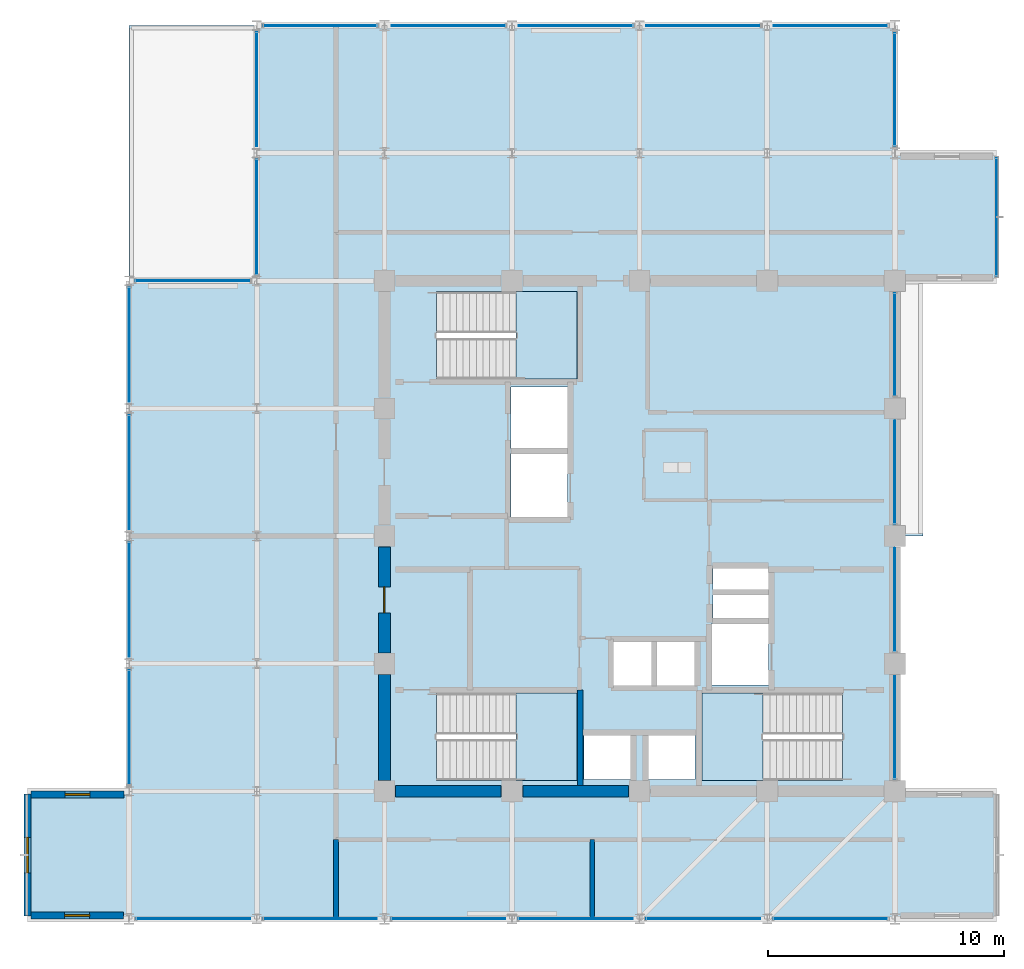
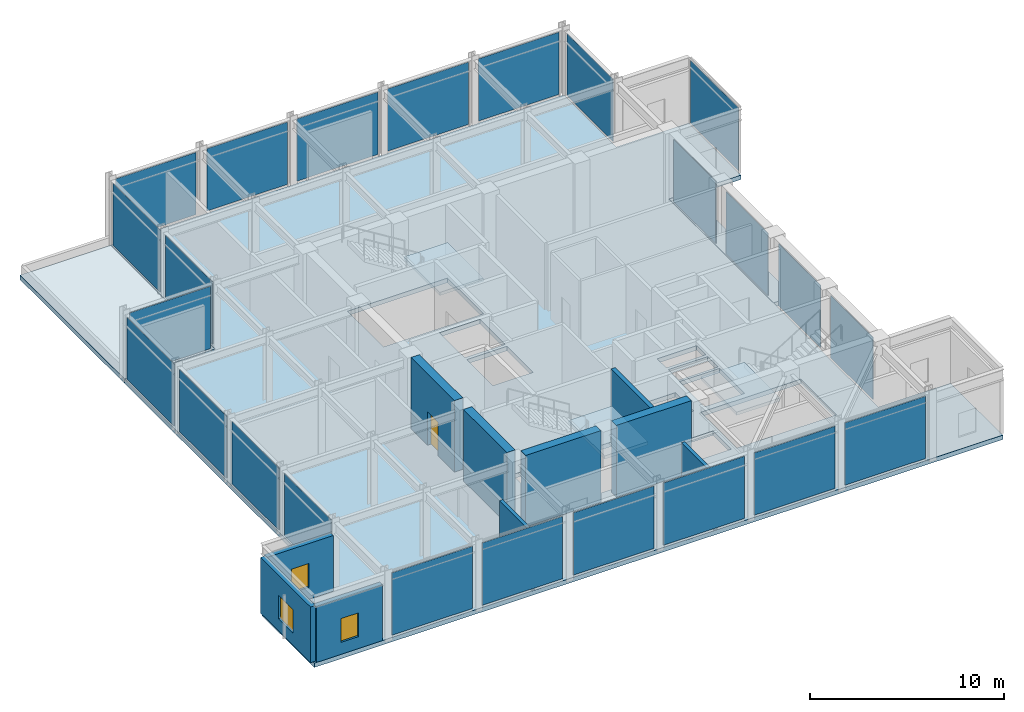
# One storey, part 15 of 22: 24 plates, 10 walls, 6 slabs, 3 windows, 1 door, 4 openings, 11 elements without a shape of their own.
"""IFC4 building model written with IfcOpenShell, lengths in metres."""

from ifc_helpers import new_model, si_unit, direction, frame, frame_2d, origin, place, context, subcontext, project, spatial, polyline, rectangle, outline, extrude, material, layer, layer_set, type_object, element, fill, aggregate, save


model = new_model("IFC4")

# Units and contexts
model_context = context("Model", 3, precision=1e-05, world=origin(), true_north=direction((0.0, 1.0)))
body_context = subcontext(model_context, "Body", "Model", "MODEL_VIEW")
ifc_project = project(units=[si_unit("LENGTHUNIT", "METRE"), si_unit("AREAUNIT", "SQUARE_METRE"), si_unit("VOLUMEUNIT", "CUBIC_METRE"), si_unit("PLANEANGLEUNIT", "RADIAN"), si_unit("MASSUNIT", "GRAM", prefix="KILO")], contexts=[model_context])

# Site, building, storey
site_placement = place(None, origin())
site = spatial("IfcSite", under=ifc_project, at=site_placement, CompositionType="ELEMENT")
building_placement = place(site_placement, origin())
building = spatial("IfcBuilding", under=site, at=building_placement, Name="Surkhivell Harbour Commons", CompositionType="ELEMENT")
storey_placement = place(building_placement, frame((0.0, 0.0, 342.0)))
storey = spatial("IfcBuildingStorey", under=building, at=storey_placement, Name="L89", CompositionType="ELEMENT", Elevation=342.0)

# Curtain wall, plates
ifc_material_1 = material(Name="Anodised pale-metal aluminium and insulated glazing", Category="aluminium")
ifc_layer_1 = layer(ifc_material_1, 0.22998046875)
ifc_layer_set_1 = layer_set([ifc_layer_1], Name="Anodised pale-metal aluminium and insulated glazing")
curtain_wall_type_1 = type_object("IfcCurtainWallType", Name="CW-SYS-CRN", PredefinedType="NOTDEFINED", material=ifc_layer_set_1)
curtain_wall_1_placement = place(storey_placement, origin())
curtain_wall_1 = element("IfcCurtainWall", 1, at=curtain_wall_1_placement, inside=storey, type_object=curtain_wall_type_1, Name="L89 Curtain Wall CW-L89-C00S1", PredefinedType="NOTDEFINED")
ifc_material_2 = material(Name="Botanical conservatory clear low-iron glass", Category="glass")
ifc_layer_2 = layer(ifc_material_2, 0.033935546875)
ifc_layer_set_2 = layer_set([ifc_layer_2], Name="Botanical conservatory clear low-iron glass")
plate_type_1 = type_object("IfcPlateType", Name="CWP-CRN-34", PredefinedType="CURTAIN_PANEL", material=ifc_layer_set_2)
plate_1_placement = place(storey_placement, frame((-16.199951171875, 21.31298828125, 0.14990234375), z_axis=(0.0, 0.0, 1.0), x_axis=(0.0, -1.0, 0.0)))
plate_1 = element("IfcPlate", 2, at=plate_1_placement, type_object=plate_type_1, Name="CW-CRN panel 1.1", PredefinedType="CURTAIN_PANEL", context=body_context, shape_type="SweptSolid", body=[
    extrude(rectangle(XDim=4.825927734375, YDim=0.033935546875, at=frame_2d((2.4130859375, 0.0))), origin(), (0.0, 0.0, 1.0), 3.920166015625),
])
plate_2_placement = place(storey_placement, frame((-16.199951171875, 15.9130859375, 0.14990234375), z_axis=(0.0, 0.0, 1.0), x_axis=(0.0, -1.0, 0.0)))
plate_2 = element("IfcPlate", 3, at=plate_2_placement, type_object=plate_type_1, Name="CW-CRN panel 2.1", PredefinedType="CURTAIN_PANEL", context=body_context, shape_type="SweptSolid", body=[
    extrude(rectangle(XDim=4.826171875, YDim=0.033935546875, at=frame_2d((2.4130859375, 0.0))), origin(), (0.0, 0.0, 1.0), 3.920166015625),
])
aggregate(curtain_wall_1, [plate_1, plate_2])

# Curtain wall, plate
curtain_wall_2_placement = place(storey_placement, origin())
curtain_wall_2 = element("IfcCurtainWall", 4, at=curtain_wall_2_placement, inside=storey, type_object=curtain_wall_type_1, Name="L89 Curtain Wall CW-L89-C01", PredefinedType="NOTDEFINED")
plate_3_placement = place(storey_placement, frame((-16.487060546875, 10.800048828125, 0.14990234375), z_axis=(0.0, 0.0, 1.0), x_axis=(-1.0, 0.0, 0.0)))
plate_3 = element("IfcPlate", 5, at=plate_3_placement, type_object=plate_type_1, Name="CW-CRN panel 1.1", PredefinedType="CURTAIN_PANEL", context=body_context, shape_type="SweptSolid", body=[
    extrude(rectangle(XDim=4.825927734375, YDim=0.033935546875, at=frame_2d((2.4130859375, 0.0))), origin(), (0.0, 0.0, 1.0), 3.920166015625),
])
aggregate(curtain_wall_2, [plate_3])

# Curtain wall, plates
curtain_wall_3_placement = place(storey_placement, origin())
curtain_wall_3 = element("IfcCurtainWall", 6, at=curtain_wall_3_placement, inside=storey, type_object=curtain_wall_type_1, Name="L89 Curtain Wall CW-L89-C02S1", PredefinedType="NOTDEFINED")
plate_4_placement = place(storey_placement, frame((-21.60009765625, 10.512939453125, 0.14990234375), z_axis=(0.0, 0.0, 1.0), x_axis=(0.0, -1.0, 0.0)))
plate_4 = element("IfcPlate", 7, at=plate_4_placement, type_object=plate_type_1, Name="CW-CRN panel 1.1", PredefinedType="CURTAIN_PANEL", context=body_context, shape_type="SweptSolid", body=[
    extrude(rectangle(XDim=4.825927734375, YDim=0.033935546875, at=frame_2d((2.4130859375, 0.0))), origin(), (0.0, 0.0, 1.0), 3.920166015625),
])
plate_5_placement = place(storey_placement, frame((-21.60009765625, 5.113037109375, 0.14990234375), z_axis=(0.0, 0.0, 1.0), x_axis=(0.0, -1.0, 0.0)))
plate_5 = element("IfcPlate", 8, at=plate_5_placement, type_object=plate_type_1, Name="CW-CRN panel 2.1", PredefinedType="CURTAIN_PANEL", context=body_context, shape_type="SweptSolid", body=[
    extrude(rectangle(XDim=4.825927734375, YDim=0.033935546875, at=frame_2d((2.4130859375, 0.0))), origin(), (0.0, 0.0, 1.0), 3.920166015625),
])
plate_6_placement = place(storey_placement, frame((-21.60009765625, -0.287109375, 0.14990234375), z_axis=(0.0, 0.0, 1.0), x_axis=(0.0, -1.0, 0.0)))
plate_6 = element("IfcPlate", 9, at=plate_6_placement, type_object=plate_type_1, Name="CW-CRN panel 3.1", PredefinedType="CURTAIN_PANEL", context=body_context, shape_type="SweptSolid", body=[
    extrude(rectangle(XDim=4.825927734375, YDim=0.033935546875, at=frame_2d((2.4130859375, 0.0))), origin(), (0.0, 0.0, 1.0), 3.920166015625),
])
plate_7_placement = place(storey_placement, frame((-21.60009765625, -5.68701171875, 0.14990234375), z_axis=(0.0, 0.0, 1.0), x_axis=(0.0, -1.0, 0.0)))
plate_7 = element("IfcPlate", 10, at=plate_7_placement, type_object=plate_type_1, Name="CW-CRN panel 4.1", PredefinedType="CURTAIN_PANEL", context=body_context, shape_type="SweptSolid", body=[
    extrude(rectangle(XDim=4.825927734375, YDim=0.033935546875, at=frame_2d((2.4130859375, 0.0))), origin(), (0.0, 0.0, 1.0), 3.920166015625),
])
aggregate(curtain_wall_3, [plate_4, plate_5, plate_6, plate_7])

curtain_wall_4_placement = place(storey_placement, origin())
curtain_wall_4 = element("IfcCurtainWall", 11, at=curtain_wall_4_placement, inside=storey, type_object=curtain_wall_type_1, Name="L89 Curtain Wall CW-L89-C03", PredefinedType="NOTDEFINED")
plate_8_placement = place(storey_placement, frame((-21.282958984375, -16.199951171875, 0.14990234375), z_axis=(0.0, 0.0, 1.0), x_axis=(1.0, 0.0, 0.0)))
plate_8 = element("IfcPlate", 12, at=plate_8_placement, type_object=plate_type_1, Name="CW-CRN panel 1.1", PredefinedType="CURTAIN_PANEL", context=body_context, shape_type="SweptSolid", body=[
    extrude(rectangle(XDim=4.7958984375, YDim=0.033935546875, at=frame_2d((2.39794921875, 0.0))), origin(), (0.0, 0.0, 1.0), 3.920166015625),
])
plate_9_placement = place(storey_placement, frame((-15.9130859375, -16.199951171875, 0.14990234375), z_axis=(0.0, 0.0, 1.0), x_axis=(1.0, 0.0, 0.0)))
plate_9 = element("IfcPlate", 13, at=plate_9_placement, type_object=plate_type_1, Name="CW-CRN panel 2.1", PredefinedType="CURTAIN_PANEL", context=body_context, shape_type="SweptSolid", body=[
    extrude(rectangle(XDim=4.796142578125, YDim=0.033935546875, at=frame_2d((2.39794921875, 0.0))), origin(), (0.0, 0.0, 1.0), 3.920166015625),
])
plate_10_placement = place(storey_placement, frame((-10.48291015625, -16.199951171875, 0.14990234375), z_axis=(0.0, 0.0, 1.0), x_axis=(1.0, 0.0, 0.0)))
plate_10 = element("IfcPlate", 14, at=plate_10_placement, type_object=plate_type_1, Name="CW-CRN panel 3.1", PredefinedType="CURTAIN_PANEL", context=body_context, shape_type="SweptSolid", body=[
    extrude(rectangle(XDim=4.7958984375, YDim=0.033935546875, at=frame_2d((2.39794921875, 0.0))), origin(), (0.0, 0.0, 1.0), 3.920166015625),
])
plate_11_placement = place(storey_placement, frame((-5.113037109375, -16.199951171875, 0.14990234375), z_axis=(0.0, 0.0, 1.0), x_axis=(1.0, 0.0, 0.0)))
plate_11 = element("IfcPlate", 15, at=plate_11_placement, type_object=plate_type_1, Name="CW-CRN panel 4.1", PredefinedType="CURTAIN_PANEL", context=body_context, shape_type="SweptSolid", body=[
    extrude(rectangle(XDim=4.825927734375, YDim=0.033935546875, at=frame_2d((2.4130859375, 0.0))), origin(), (0.0, 0.0, 1.0), 3.920166015625),
])
plate_12_placement = place(storey_placement, frame((0.287109375, -16.199951171875, 0.14990234375), z_axis=(0.0, 0.0, 1.0), x_axis=(1.0, 0.0, 0.0)))
plate_12 = element("IfcPlate", 16, at=plate_12_placement, type_object=plate_type_1, Name="CW-CRN panel 5.1", PredefinedType="CURTAIN_PANEL", context=body_context, shape_type="SweptSolid", body=[
    extrude(rectangle(XDim=4.825927734375, YDim=0.033935546875, at=frame_2d((2.4130859375, 0.0))), origin(), (0.0, 0.0, 1.0), 3.920166015625),
])
plate_13_placement = place(storey_placement, frame((5.68701171875, -16.199951171875, 0.14990234375), z_axis=(0.0, 0.0, 1.0), x_axis=(1.0, 0.0, 0.0)))
plate_13 = element("IfcPlate", 17, at=plate_13_placement, type_object=plate_type_1, Name="CW-CRN panel 6.1", PredefinedType="CURTAIN_PANEL", context=body_context, shape_type="SweptSolid", body=[
    extrude(rectangle(XDim=4.7958984375, YDim=0.033935546875, at=frame_2d((2.39794921875, 0.0))), origin(), (0.0, 0.0, 1.0), 3.920166015625),
])
aggregate(curtain_wall_4, [plate_8, plate_9, plate_10, plate_11, plate_12, plate_13])

curtain_wall_5_placement = place(storey_placement, origin())
curtain_wall_5 = element("IfcCurtainWall", 18, at=curtain_wall_5_placement, inside=storey, type_object=curtain_wall_type_1, Name="L89 Curtain Wall CW-L89-C04S1", PredefinedType="NOTDEFINED")
plate_14_placement = place(storey_placement, frame((10.800048828125, -10.27294921875, 0.14990234375), z_axis=(0.0, 0.0, 1.0), x_axis=(0.0, 1.0, 0.0)))
plate_14 = element("IfcPlate", 19, at=plate_14_placement, type_object=plate_type_1, Name="CW-CRN panel 1.1", PredefinedType="CURTAIN_PANEL", context=body_context, shape_type="SweptSolid", body=[
    extrude(rectangle(XDim=4.345947265625, YDim=0.033935546875, at=frame_2d((2.1728515625, 0.0))), origin(), (0.0, 0.0, 1.0), 3.920166015625),
])
plate_15_placement = place(storey_placement, frame((10.800048828125, -4.873046875, 0.14990234375), z_axis=(0.0, 0.0, 1.0), x_axis=(0.0, 1.0, 0.0)))
plate_15 = element("IfcPlate", 20, at=plate_15_placement, type_object=plate_type_1, Name="CW-CRN panel 2.1", PredefinedType="CURTAIN_PANEL", context=body_context, shape_type="SweptSolid", body=[
    extrude(rectangle(XDim=4.345947265625, YDim=0.033935546875, at=frame_2d((2.1728515625, 0.0))), origin(), (0.0, 0.0, 1.0), 3.920166015625),
])
plate_16_placement = place(storey_placement, frame((10.800048828125, 0.527099609375, 0.14990234375), z_axis=(0.0, 0.0, 1.0), x_axis=(0.0, 1.0, 0.0)))
plate_16 = element("IfcPlate", 21, at=plate_16_placement, type_object=plate_type_1, Name="CW-CRN panel 3.1", PredefinedType="CURTAIN_PANEL", context=body_context, shape_type="SweptSolid", body=[
    extrude(rectangle(XDim=4.345947265625, YDim=0.033935546875, at=frame_2d((2.1728515625, 0.0))), origin(), (0.0, 0.0, 1.0), 3.920166015625),
])
plate_17_placement = place(storey_placement, frame((10.800048828125, 5.927001953125, 0.14990234375), z_axis=(0.0, 0.0, 1.0), x_axis=(0.0, 1.0, 0.0)))
plate_17 = element("IfcPlate", 22, at=plate_17_placement, type_object=plate_type_1, Name="CW-CRN panel 4.1", PredefinedType="CURTAIN_PANEL", context=body_context, shape_type="SweptSolid", body=[
    extrude(rectangle(XDim=4.345947265625, YDim=0.033935546875, at=frame_2d((2.1728515625, 0.0))), origin(), (0.0, 0.0, 1.0), 3.920166015625),
])
aggregate(curtain_wall_5, [plate_14, plate_15, plate_16, plate_17])

# Curtain wall, plate
curtain_wall_6_placement = place(storey_placement, origin())
curtain_wall_6 = element("IfcCurtainWall", 23, at=curtain_wall_6_placement, inside=storey, type_object=curtain_wall_type_1, Name="L89 Curtain Wall CW-L89-C04S2", PredefinedType="NOTDEFINED")
plate_18_placement = place(storey_placement, frame((10.800048828125, 16.51708984375, 0.14990234375), z_axis=(0.0, 0.0, 1.0), x_axis=(0.0, 1.0, 0.0)))
plate_18 = element("IfcPlate", 24, at=plate_18_placement, type_object=plate_type_1, Name="CW-CRN panel 1.1", PredefinedType="CURTAIN_PANEL", context=body_context, shape_type="SweptSolid", body=[
    extrude(rectangle(XDim=4.765869140625, YDim=0.033935546875, at=frame_2d((2.3828125, 0.0))), origin(), (0.0, 0.0, 1.0), 3.920166015625),
])
aggregate(curtain_wall_6, [plate_18])

# Curtain wall, plates
curtain_wall_7_placement = place(storey_placement, origin())
curtain_wall_7 = element("IfcCurtainWall", 25, at=curtain_wall_7_placement, inside=storey, type_object=curtain_wall_type_1, Name="L89 Curtain Wall CW-L89-C05", PredefinedType="NOTDEFINED")
plate_19_placement = place(storey_placement, frame((10.48291015625, 21.60009765625, 0.14990234375), z_axis=(0.0, 0.0, 1.0), x_axis=(-1.0, 0.0, 0.0)))
plate_19 = element("IfcPlate", 26, at=plate_19_placement, type_object=plate_type_1, Name="CW-CRN panel 1.1", PredefinedType="CURTAIN_PANEL", context=body_context, shape_type="SweptSolid", body=[
    extrude(rectangle(XDim=4.7958984375, YDim=0.033935546875, at=frame_2d((2.39794921875, 0.0))), origin(), (0.0, 0.0, 1.0), 3.920166015625),
])
plate_20_placement = place(storey_placement, frame((5.113037109375, 21.60009765625, 0.14990234375), z_axis=(0.0, 0.0, 1.0), x_axis=(-1.0, 0.0, 0.0)))
plate_20 = element("IfcPlate", 27, at=plate_20_placement, type_object=plate_type_1, Name="CW-CRN panel 2.1", PredefinedType="CURTAIN_PANEL", context=body_context, shape_type="SweptSolid", body=[
    extrude(rectangle(XDim=4.825927734375, YDim=0.033935546875, at=frame_2d((2.4130859375, 0.0))), origin(), (0.0, 0.0, 1.0), 3.920166015625),
])
plate_21_placement = place(storey_placement, frame((-0.287109375, 21.60009765625, 0.14990234375), z_axis=(0.0, 0.0, 1.0), x_axis=(-1.0, 0.0, 0.0)))
plate_21 = element("IfcPlate", 28, at=plate_21_placement, type_object=plate_type_1, Name="CW-CRN panel 3.1", PredefinedType="CURTAIN_PANEL", context=body_context, shape_type="SweptSolid", body=[
    extrude(rectangle(XDim=4.825927734375, YDim=0.033935546875, at=frame_2d((2.4130859375, 0.0))), origin(), (0.0, 0.0, 1.0), 3.920166015625),
])
plate_22_placement = place(storey_placement, frame((-5.68701171875, 21.60009765625, 0.14990234375), z_axis=(0.0, 0.0, 1.0), x_axis=(-1.0, 0.0, 0.0)))
plate_22 = element("IfcPlate", 29, at=plate_22_placement, type_object=plate_type_1, Name="CW-CRN panel 4.1", PredefinedType="CURTAIN_PANEL", context=body_context, shape_type="SweptSolid", body=[
    extrude(rectangle(XDim=4.7958984375, YDim=0.033935546875, at=frame_2d((2.39794921875, 0.0))), origin(), (0.0, 0.0, 1.0), 3.920166015625),
])
plate_23_placement = place(storey_placement, frame((-11.116943359375, 21.60009765625, 0.14990234375), z_axis=(0.0, 0.0, 1.0), x_axis=(-1.0, 0.0, 0.0)))
plate_23 = element("IfcPlate", 30, at=plate_23_placement, type_object=plate_type_1, Name="CW-CRN panel 5.1", PredefinedType="CURTAIN_PANEL", context=body_context, shape_type="SweptSolid", body=[
    extrude(rectangle(XDim=4.796142578125, YDim=0.033935546875, at=frame_2d((2.39794921875, 0.0))), origin(), (0.0, 0.0, 1.0), 3.920166015625),
])
aggregate(curtain_wall_7, [plate_19, plate_20, plate_21, plate_22, plate_23])

# Curtain wall, plate
ifc_layer_3 = layer(ifc_material_1, 0.1650390625)
ifc_layer_set_3 = layer_set([ifc_layer_3], Name="Anodised pale-metal aluminium and insulated glazing")
curtain_wall_type_2 = type_object("IfcCurtainWallType", Name="CW-SYS-BOX", PredefinedType="NOTDEFINED", material=ifc_layer_set_3)
curtain_wall_8_placement = place(storey_placement, origin())
curtain_wall_8 = element("IfcCurtainWall", 31, at=curtain_wall_8_placement, inside=storey, type_object=curtain_wall_type_2, Name="L89 Curtain Wall CW-L89-BOX02", PredefinedType="NOTDEFINED")
ifc_material_3 = material(Name="Triple-glazed bay-cluster vision glass", Category="glass")
ifc_layer_4 = layer(ifc_material_3, 0.028076171875)
ifc_layer_set_4 = layer_set([ifc_layer_4], Name="Triple-glazed bay-cluster vision glass")
plate_type_2 = type_object("IfcPlateType", Name="CWP-GLZ-28", PredefinedType="CURTAIN_PANEL", material=ifc_layer_set_4)
plate_24_placement = place(storey_placement, frame((15.10009765625, 11.02001953125, 0.1298828125), z_axis=(0.0, 0.0, 1.0), x_axis=(0.0, 1.0, 0.0)))
plate_24 = element("IfcPlate", 32, at=plate_24_placement, type_object=plate_type_2, Name="CW-BOX panel 1.1", PredefinedType="CURTAIN_PANEL", context=body_context, shape_type="SweptSolid", body=[
    extrude(rectangle(XDim=4.9599609375, YDim=0.028076171875, at=frame_2d((2.47998046875, 0.0))), origin(), (0.0, 0.0, 1.0), 3.960205078125),
])
aggregate(curtain_wall_8, [plate_24])

# Slabs
ifc_material_4 = material(Name="Concrete C50/60", Category="concrete")
ifc_layer_5 = layer(ifc_material_4, 0.280029296875)
ifc_layer_set_5 = layer_set([ifc_layer_5], Name="Concrete C50/60")
slab_type_1 = type_object("IfcSlabType", Name="SLB-BOXRF-280", PredefinedType="ROOF", material=ifc_layer_set_5)
slab_1_placement = place(storey_placement, frame((0.0, 0.0, -0.280029296875)))
element("IfcSlab", 33, at=slab_1_placement, inside=storey, type_object=slab_type_1, Name="L89 Closed Box-Cluster Roof Slab 1", PredefinedType="ROOF", context=body_context, shape_type="SweptSolid", body=[
    extrude(outline(polyline([(-21.60009765625, 21.60009765625), (-21.60009765625, 10.820068359375), (-16.219970703125, 10.820068359375), (-16.219970703125, 21.60009765625), (-21.60009765625, 21.60009765625)])), origin(), (0.0, 0.0, 1.0), 0.280029296875),
])
slab_2_placement = place(storey_placement, frame((0.0, 0.0, -0.280029296875)))
element("IfcSlab", 34, at=slab_2_placement, inside=storey, type_object=slab_type_1, Name="L89 Closed Box-Cluster Roof Slab 2", PredefinedType="ROOF", context=body_context, shape_type="SweptSolid", body=[
    extrude(outline(polyline([(12.0, 10.780029296875), (10.820068359375, 10.780029296875), (10.820068359375, 0.0), (12.0, 0.0), (12.0, 10.780029296875)])), origin(), (0.0, 0.0, 1.0), 0.280029296875),
])
ifc_layer_6 = layer(ifc_material_4, 0.280029296875)
ifc_layer_set_6 = layer_set([ifc_layer_6], Name="Concrete C50/60")
slab_type_2 = type_object("IfcSlabType", Name="SLB-CRN-280", PredefinedType="FLOOR", material=ifc_layer_set_6)
slab_3_placement = place(storey_placement, frame((0.0, 0.0, -0.280029296875)))
element("IfcSlab", 35, at=slab_3_placement, inside=storey, type_object=slab_type_2, Name="L89 Structural Floor Slab", PredefinedType="FLOOR", context=body_context, shape_type="SweptSolid", body=[
    extrude(outline(polyline([(-21.60009765625, 10.800048828125), (-21.60009765625, -10.800048828125), (-25.89990234375, -10.800048828125), (-25.89990234375, -16.199951171875), (-21.60009765625, -16.199951171875), (10.800048828125, -16.199951171875), (15.10009765625, -16.199951171875), (15.10009765625, -10.800048828125), (10.800048828125, -10.800048828125), (10.800048828125, 10.800048828125), (15.10009765625, 10.800048828125), (15.10009765625, 16.199951171875), (10.800048828125, 16.199951171875), (10.800048828125, 21.60009765625), (-16.199951171875, 21.60009765625), (-16.199951171875, 10.800048828125), (-21.60009765625, 10.800048828125)]), holes=[polyline([(-8.590087890625, 6.639892578125), (-2.639892578125, 6.639892578125), (-2.639892578125, 10.340087890625), (-8.590087890625, 10.340087890625), (-8.590087890625, 6.639892578125)]), polyline([(8.590087890625, -6.639892578125), (2.639892578125, -6.639892578125), (2.639892578125, -10.340087890625), (8.590087890625, -10.340087890625), (8.590087890625, -6.639892578125)]), polyline([(-8.590087890625, -10.340087890625), (-2.639892578125, -10.340087890625), (-2.639892578125, -6.639892578125), (-8.590087890625, -6.639892578125), (-8.590087890625, -10.340087890625)]), polyline([(-1.14990234375, -6.35009765625), (0.550048828125, -6.35009765625), (0.550048828125, -4.449951171875), (-1.14990234375, -4.449951171875), (-1.14990234375, -6.35009765625)]), polyline([(0.679931640625, -6.35009765625), (2.3798828125, -6.35009765625), (2.3798828125, -4.449951171875), (0.679931640625, -4.449951171875), (0.679931640625, -6.35009765625)]), polyline([(-2.35009765625, -10.300048828125), (-0.35009765625, -10.300048828125), (-0.35009765625, -8.39990234375), (-2.35009765625, -8.39990234375), (-2.35009765625, -10.300048828125)]), polyline([(0.35009765625, -10.300048828125), (2.35009765625, -10.300048828125), (2.35009765625, -8.39990234375), (0.35009765625, -8.39990234375), (0.35009765625, -10.300048828125)]), polyline([(-5.449951171875, 3.699951171875), (-3.050048828125, 3.699951171875), (-3.050048828125, 6.300048828125), (-5.449951171875, 6.300048828125), (-5.449951171875, 3.699951171875)]), polyline([(3.050048828125, -6.300048828125), (5.449951171875, -6.300048828125), (5.449951171875, -3.699951171875), (3.050048828125, -3.699951171875), (3.050048828125, -6.300048828125)]), polyline([(-5.449951171875, 0.800048828125), (-3.050048828125, 0.800048828125), (-3.050048828125, 3.5), (-5.449951171875, 3.5), (-5.449951171875, 0.800048828125)]), polyline([(3.10009765625, -3.550048828125), (5.449951171875, -3.550048828125), (5.449951171875, -2.47998046875), (3.10009765625, -2.47998046875), (3.10009765625, -3.550048828125)]), polyline([(3.10009765625, -2.280029296875), (5.449951171875, -2.280029296875), (5.449951171875, -1.35009765625), (3.10009765625, -1.35009765625), (3.10009765625, -2.280029296875)])]), origin(), (0.0, 0.0, 1.0), 0.280029296875),
])

# Stair, slab
ifc_material_5 = material(Name="Precast concrete C45/55", Category="concrete")
stair_type = type_object("IfcStairType", Name="STR-DL-450", PredefinedType="HALF_TURN_STAIR", material=ifc_material_5)
stair_1_placement = place(storey_placement, origin())
stair_1 = element("IfcStair", 36, at=stair_1_placement, inside=storey, type_object=stair_type, Name="L89 Core Exit Stair ST1", PredefinedType="HALF_TURN_STAIR")
ifc_material_6 = material(Name="Reinforced concrete C45/55", Category="concrete")
ifc_layer_7 = layer(ifc_material_6, 0.199951171875)
ifc_layer_set_7 = layer_set([ifc_layer_7], Name="Reinforced concrete C45/55")
slab_type_3 = type_object("IfcSlabType", Name="SLB-ST-LND200", PredefinedType="LANDING", material=ifc_layer_set_7)
slab_4_placement = place(storey_placement, frame((0.0, 0.0, 2.050048828125)))
slab_4 = element("IfcSlab", 37, at=slab_4_placement, type_object=slab_type_3, Name="ST1 landing 1", PredefinedType="LANDING", context=body_context, shape_type="SweptSolid", body=[
    extrude(outline(polyline([(-5.22998046875, 6.639892578125), (-2.639892578125, 6.639892578125), (-2.639892578125, 10.340087890625), (-5.22998046875, 10.340087890625), (-5.22998046875, 6.639892578125)])), origin(), (0.0, 0.0, 1.0), 0.199951171875),
])
aggregate(stair_1, [slab_4])

stair_2_placement = place(storey_placement, origin())
stair_2 = element("IfcStair", 38, at=stair_2_placement, inside=storey, type_object=stair_type, Name="L89 Core Exit Stair ST2", PredefinedType="HALF_TURN_STAIR")
slab_5_placement = place(storey_placement, frame((0.0, 0.0, 2.050048828125)))
slab_5 = element("IfcSlab", 39, at=slab_5_placement, type_object=slab_type_3, Name="ST2 landing 1", PredefinedType="LANDING", context=body_context, shape_type="SweptSolid", body=[
    extrude(outline(polyline([(5.22998046875, -6.639892578125), (2.639892578125, -6.639892578125), (2.639892578125, -10.340087890625), (5.22998046875, -10.340087890625), (5.22998046875, -6.639892578125)])), origin(), (0.0, 0.0, 1.0), 0.199951171875),
])
aggregate(stair_2, [slab_5])

stair_3_placement = place(storey_placement, origin())
stair_3 = element("IfcStair", 40, at=stair_3_placement, inside=storey, type_object=stair_type, Name="L89 Core Exit Stair ST3", PredefinedType="HALF_TURN_STAIR")
slab_6_placement = place(storey_placement, frame((0.0, 0.0, 2.050048828125)))
slab_6 = element("IfcSlab", 41, at=slab_6_placement, type_object=slab_type_3, Name="ST3 landing 1", PredefinedType="LANDING", context=body_context, shape_type="SweptSolid", body=[
    extrude(outline(polyline([(-5.22998046875, -10.340087890625), (-2.639892578125, -10.340087890625), (-2.639892578125, -6.639892578125), (-5.22998046875, -6.639892578125), (-5.22998046875, -10.340087890625)])), origin(), (0.0, 0.0, 1.0), 0.199951171875),
])
aggregate(stair_3, [slab_6])

# Walls
ifc_layer_8 = layer(ifc_material_4, 0.5)
ifc_layer_set_8 = layer_set([ifc_layer_8], Name="Concrete C50/60")
wall_type_1 = type_object("IfcWallType", Name="WAL-CORE-500", PredefinedType="SHEAR", material=ifc_layer_set_8)
for number, where, z_axis, x_axis, name in (
    (42, (-10.340087890625, -10.800048828125, 0.0), (0.0, 0.0, 1.0), (1.0, 0.0, 0.0), "L89 Core Shear Wall South 1"),
    (43, (-10.800048828125, -10.340087890625, 0.0), (0.0, 0.0, 1.0), (0.0, 1.0, 0.0), "L89 Core Shear Wall West 1"),
    (44, (-4.93994140625, -10.800048828125, 0.0), (0.0, 0.0, 1.0), (1.0, 0.0, 0.0), "L89 Core Shear Wall South 2"),
):
    element("IfcWall", number, at=place(storey_placement, frame(where, z_axis=z_axis, x_axis=x_axis)), inside=storey, type_object=wall_type_1, Name=name, PredefinedType="SHEAR", context=body_context, shape_type="SweptSolid", body=[
        extrude(rectangle(XDim=4.47998046875, YDim=0.5, at=frame_2d((2.239990234375, 0.0))), origin(), (0.0, 0.0, 1.0), 4.5),
    ])

# Wall, opening, door
wall_1_placement = place(storey_placement, frame((-10.800048828125, -4.93994140625, 0.0), z_axis=(0.0, 0.0, 1.0), x_axis=(0.0, 1.0, 0.0)))
wall_1 = element("IfcWall", 45, at=wall_1_placement, inside=storey, type_object=wall_type_1, Name="L89 Core Shear Wall West 2", PredefinedType="SHEAR", context=body_context, shape_type="SweptSolid", body=[
    extrude(rectangle(XDim=4.47998046875, YDim=0.5, at=frame_2d((2.239990234375, 0.0))), origin(), (0.0, 0.0, 1.0), 4.5),
])
opening_1_placement = place(wall_1_placement, frame((1.68994140625, 0.0, 0.0)))
opening_1 = element("IfcOpeningElement", 46, at=opening_1_placement, cuts=wall_1, Name="Opening ID-2", PredefinedType="OPENING", context=body_context, shape_type="SweptSolid", body=[
    extrude(rectangle(XDim=1.10009765625, YDim=2.10009765625, at=frame_2d((0.550048828125, 1.050048828125))), frame((0.0, 0.260009765625, 0.0), z_axis=(0.0, -1.0, 0.0), x_axis=(1.0, 0.0, 0.0)), (0.0, 0.0, 1.0), 0.52001953125),
])
ifc_material_7 = material(Name="Hardwood-veneered fire-rated door leaf", Category="wood")
door_type = type_object("IfcDoorType", Name="DOR-FD60-1100", OperationType="NOTDEFINED", PredefinedType="DOOR", material=ifc_material_7)
door_placement = place(opening_1_placement, origin())
door = element("IfcDoor", 47, at=door_placement, inside=storey, type_object=door_type, Name="L89 Stair 3 Lobby Corridor Door", OperationType="SINGLE_SWING_LEFT", OverallHeight=2.10009765625, OverallWidth=1.10009765625, PredefinedType="DOOR", context=body_context, shape_type="SweptSolid", body=[
    extrude(rectangle(XDim=1.10009765625, YDim=2.10009765625, at=frame_2d((0.550048828125, 1.050048828125))), frame((0.0, 0.02490234375, 0.0), z_axis=(0.0, -1.0, 0.0), x_axis=(1.0, 0.0, 0.0)), (0.0, 0.0, 1.0), 0.050048828125),
])
fill(opening_1, door)

# Wall, opening, window
ifc_material_8 = material(Name="Flemish-bond kiln brick and precast concrete C45/55", Category="masonry")
ifc_layer_9 = layer(ifc_material_8, 0.300048828125)
ifc_layer_set_9 = layer_set([ifc_layer_9], Name="Flemish-bond kiln brick and precast concrete C45/55")
wall_type_2 = type_object("IfcWallType", Name="WAL-EXT-BRK300", PredefinedType="STANDARD", material=ifc_layer_set_9)
wall_2_placement = place(storey_placement, frame((-25.89990234375, -10.919921875, 0.0), z_axis=(0.0, 0.0, 1.0), x_axis=(0.0, -1.0, 0.0)))
wall_2 = element("IfcWall", 48, at=wall_2_placement, inside=storey, type_object=wall_type_2, Name="L89 Coloured Box Front Wall 03", PredefinedType="STANDARD", context=body_context, shape_type="SweptSolid", body=[
    extrude(rectangle(XDim=5.16015625, YDim=0.300048828125, at=frame_2d((2.580078125, 0.0))), origin(), (0.0, 0.0, 1.0), 3.507080078125),
])
opening_2_placement = place(wall_2_placement, frame((1.830078125, 0.0, 0.75)))
opening_2 = element("IfcOpeningElement", 49, at=opening_2_placement, cuts=wall_2, Name="Opening WN-13", PredefinedType="OPENING", context=body_context, shape_type="SweptSolid", body=[
    extrude(rectangle(XDim=1.5, YDim=1.5, at=frame_2d((0.75, 0.75))), frame((0.0, 0.159912109375, 0.0), z_axis=(0.0, -1.0, 0.0), x_axis=(1.0, 0.0, 0.0)), (0.0, 0.0, 1.0), 0.320068359375),
])
ifc_material_9 = material(Name="Thermal-break aluminium frame and double low-E glazing", Category="aluminium")
window_type_1 = type_object("IfcWindowType", Name="WIN-BOX-1500x1500", PartitioningType="SINGLE_PANEL", PredefinedType="WINDOW", material=ifc_material_9)
window_1_placement = place(opening_2_placement, origin())
window_1 = element("IfcWindow", 50, at=window_1_placement, inside=storey, type_object=window_type_1, Name="L89 Coloured Box Square Window 03-1", OverallHeight=1.5, OverallWidth=1.5, PartitioningType="SINGLE_PANEL", PredefinedType="WINDOW", context=body_context, shape_type="SweptSolid", body=[
    extrude(rectangle(XDim=1.5, YDim=1.5, at=frame_2d((0.75, 0.75))), frame((0.0, 0.030029296875, 0.0), z_axis=(0.0, -1.0, 0.0), x_axis=(1.0, 0.0, 0.0)), (0.0, 0.0, 1.0), 0.06005859375),
])
fill(opening_2, window_1)

wall_3_placement = place(storey_placement, frame((-25.760009765625, -16.06005859375, 0.0), z_axis=(0.0, 0.0, 1.0), x_axis=(1.0, 0.0, 0.0)))
wall_3 = element("IfcWall", 51, at=wall_3_placement, inside=storey, type_object=wall_type_2, Name="L89 Coloured Box Return Wall 03S", PredefinedType="STANDARD", context=body_context, shape_type="SweptSolid", body=[
    extrude(rectangle(XDim=3.916015625, YDim=0.300048828125, at=frame_2d((1.9580078125, 0.0))), origin(), (0.0, 0.0, 1.0), 3.507080078125),
])
opening_3_placement = place(wall_3_placement, frame((1.43310546875, 0.0, 0.75)))
opening_3 = element("IfcOpeningElement", 52, at=opening_3_placement, cuts=wall_3, Name="Opening WN-11", PredefinedType="OPENING", context=body_context, shape_type="SweptSolid", body=[
    extrude(rectangle(XDim=1.050048828125, YDim=1.5, at=frame_2d((0.52490234375, 0.75))), frame((0.0, 0.159912109375, 0.0), z_axis=(0.0, -1.0, 0.0), x_axis=(1.0, 0.0, 0.0)), (0.0, 0.0, 1.0), 0.320068359375),
])
window_type_2 = type_object("IfcWindowType", Name="WIN-SER-1050x1500", PartitioningType="SINGLE_PANEL", PredefinedType="WINDOW", material=ifc_material_9)
window_2_placement = place(opening_3_placement, origin())
window_2 = element("IfcWindow", 53, at=window_2_placement, inside=storey, type_object=window_type_2, Name="L89 Coloured Box Return Window 03S", OverallHeight=1.5, OverallWidth=1.050048828125, PartitioningType="SINGLE_PANEL", PredefinedType="WINDOW", context=body_context, shape_type="SweptSolid", body=[
    extrude(rectangle(XDim=1.050048828125, YDim=1.5, at=frame_2d((0.52490234375, 0.75))), frame((0.0, 0.030029296875, 0.0), z_axis=(0.0, -1.0, 0.0), x_axis=(1.0, 0.0, 0.0)), (0.0, 0.0, 1.0), 0.06005859375),
])
fill(opening_3, window_2)

wall_4_placement = place(storey_placement, frame((-25.760009765625, -10.93994140625, 0.0), z_axis=(0.0, 0.0, 1.0), x_axis=(1.0, 0.0, 0.0)))
wall_4 = element("IfcWall", 54, at=wall_4_placement, inside=storey, type_object=wall_type_2, Name="L89 Coloured Box Return Wall 03N", PredefinedType="STANDARD", context=body_context, shape_type="SweptSolid", body=[
    extrude(rectangle(XDim=3.946044921875, YDim=0.300048828125, at=frame_2d((1.97314453125, 0.0))), origin(), (0.0, 0.0, 1.0), 3.507080078125),
])
opening_4_placement = place(wall_4_placement, frame((1.447998046875, 0.0, 0.75)))
opening_4 = element("IfcOpeningElement", 55, at=opening_4_placement, cuts=wall_4, Name="Opening WN-11", PredefinedType="OPENING", context=body_context, shape_type="SweptSolid", body=[
    extrude(rectangle(XDim=1.050048828125, YDim=1.5, at=frame_2d((0.52490234375, 0.75))), frame((0.0, 0.159912109375, 0.0), z_axis=(0.0, -1.0, 0.0), x_axis=(1.0, 0.0, 0.0)), (0.0, 0.0, 1.0), 0.320068359375),
])
window_3_placement = place(opening_4_placement, origin())
window_3 = element("IfcWindow", 56, at=window_3_placement, inside=storey, type_object=window_type_2, Name="L89 Coloured Box Return Window 03N", OverallHeight=1.5, OverallWidth=1.050048828125, PartitioningType="SINGLE_PANEL", PredefinedType="WINDOW", context=body_context, shape_type="SweptSolid", body=[
    extrude(rectangle(XDim=1.050048828125, YDim=1.5, at=frame_2d((0.52490234375, 0.75))), frame((0.0, 0.030029296875, 0.0), z_axis=(0.0, -1.0, 0.0), x_axis=(1.0, 0.0, 0.0)), (0.0, 0.0, 1.0), 0.06005859375),
])
fill(opening_4, window_3)

# Walls
ifc_material_10 = material(Name="Autoclaved aerated concrete blockwork and fire plaster", Category="masonry")
ifc_layer_10 = layer(ifc_material_10, 0.199951171875)
ifc_layer_set_10 = layer_set([ifc_layer_10], Name="Autoclaved aerated concrete blockwork and fire plaster")
wall_type_3 = type_object("IfcWallType", Name="WAL-INT-200", PredefinedType="PARTITIONING", material=ifc_layer_set_10)
wall_5_placement = place(storey_placement, frame((-2.0, -16.159912109375, 0.0), z_axis=(0.0, 0.0, 1.0), x_axis=(0.0, 1.0, 0.0)))
element("IfcWall", 57, at=wall_5_placement, inside=storey, type_object=wall_type_3, Name="L89 Crown Plant South Divider", PredefinedType="PARTITIONING", context=body_context, shape_type="SweptSolid", body=[
    extrude(rectangle(XDim=3.309814453125, YDim=0.199951171875, at=frame_2d((1.65478515625, 0.0))), origin(), (0.0, 0.0, 1.0), 3.507080078125),
])
wall_6_placement = place(storey_placement, frame((-12.85009765625, -16.159912109375, 0.0), z_axis=(0.0, 0.0, 1.0), x_axis=(0.0, 1.0, 0.0)))
element("IfcWall", 58, at=wall_6_placement, inside=storey, type_object=wall_type_3, Name="L89 Crown SW Corner Wall", PredefinedType="PARTITIONING", context=body_context, shape_type="SweptSolid", body=[
    extrude(rectangle(XDim=3.309814453125, YDim=0.199951171875, at=frame_2d((1.65478515625, 0.0))), origin(), (0.0, 0.0, 1.0), 3.6630859375),
])
ifc_layer_11 = layer(ifc_material_4, 0.25)
ifc_layer_set_11 = layer_set([ifc_layer_11], Name="Concrete C50/60")
wall_type_4 = type_object("IfcWallType", Name="WAL-SHAFT-250", PredefinedType="SHEAR", material=ifc_layer_set_11)
wall_7_placement = place(storey_placement, frame((-2.510009765625, -10.550048828125, 0.0), z_axis=(0.0, 0.0, 1.0), x_axis=(0.0, 1.0, 0.0)))
element("IfcWall", 59, at=wall_7_placement, inside=storey, type_object=wall_type_4, Name="L89 Stair ST3 East Shear Wall", PredefinedType="SHEAR", context=body_context, shape_type="SweptSolid", body=[
    extrude(rectangle(XDim=4.0400390625, YDim=0.25, at=frame_2d((2.02001953125, 0.0))), origin(), (0.0, 0.0, 1.0), 4.5),
])

save(model, "model.ifc")
